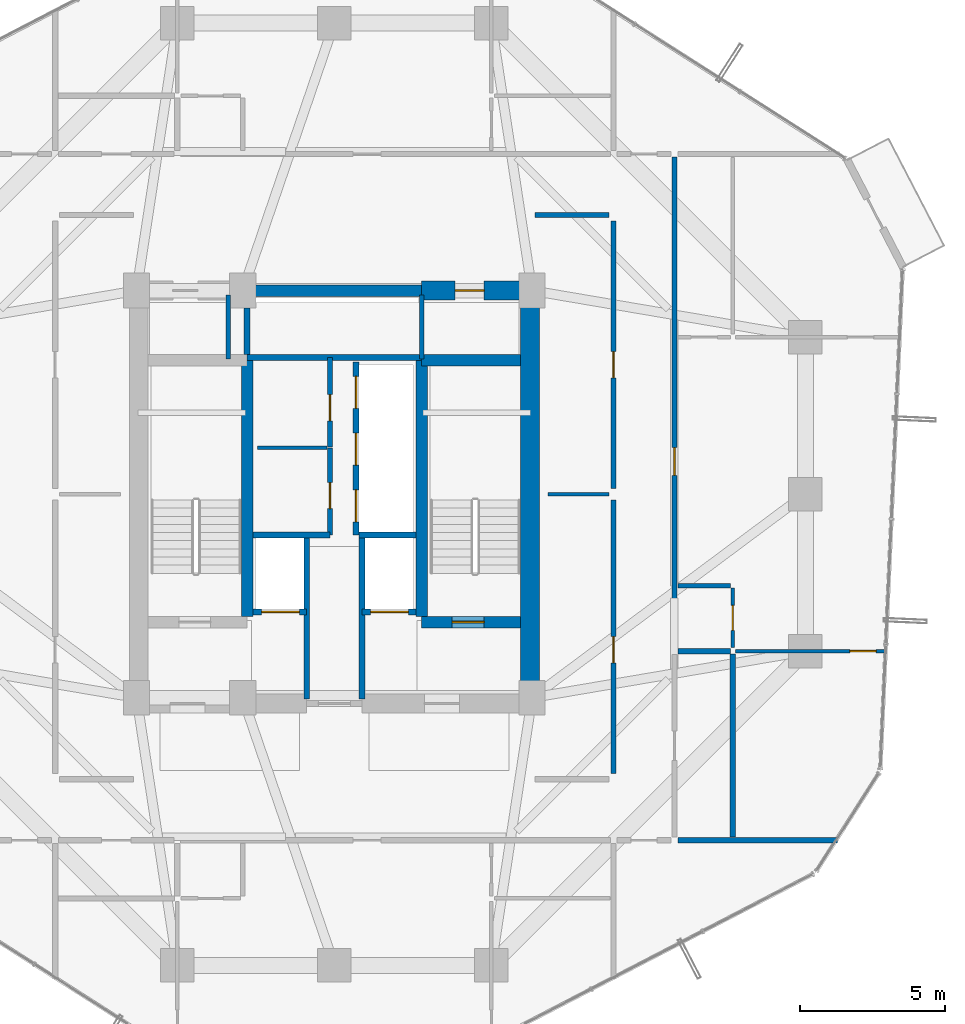
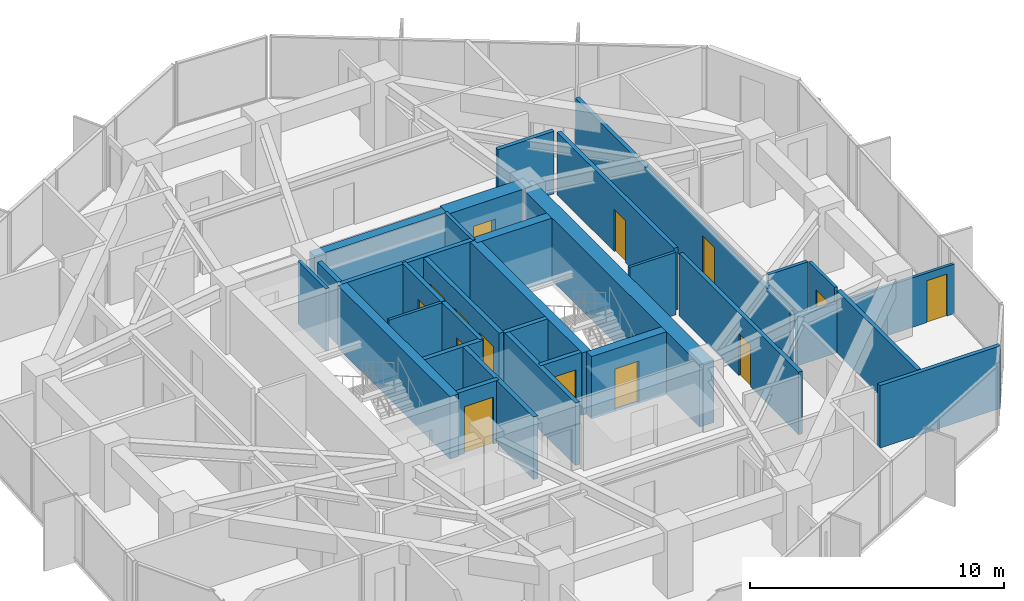
# One storey, part 27 of 30: 32 walls, 14 doors, 14 openings.
"""IFC4 building model written with IfcOpenShell, lengths in metres."""

from ifc_helpers import new_model, si_unit, direction, frame, frame_2d, origin, place, context, subcontext, project, spatial, rectangle, extrude, source, transform, mapped, material, layer, layer_set, type_object, element, fill, save


model = new_model("IFC4")

# Units and contexts
model_context = context("Model", 3, precision=1e-05, world=origin(), true_north=direction((0.0, 1.0)))
body_context = subcontext(model_context, "Body", "Model", "MODEL_VIEW")
ifc_project = project(units=[si_unit("LENGTHUNIT", "METRE"), si_unit("AREAUNIT", "SQUARE_METRE"), si_unit("VOLUMEUNIT", "CUBIC_METRE"), si_unit("PLANEANGLEUNIT", "RADIAN"), si_unit("MASSUNIT", "GRAM", prefix="KILO")], contexts=[model_context])

# Site, building, storey
site_placement = place(None, origin())
site = spatial("IfcSite", under=ifc_project, at=site_placement, CompositionType="ELEMENT")
building_placement = place(site_placement, origin())
building = spatial("IfcBuilding", under=site, at=building_placement, Name="Veraguas Prism Commons", CompositionType="ELEMENT")
storey_placement = place(building_placement, frame((0.0, 0.0, 119.75)))
storey = spatial("IfcBuildingStorey", under=building, at=storey_placement, Name="L33", CompositionType="ELEMENT", Elevation=119.75)

# Wall
ifc_material_1 = material(Name="Concrete C50/60", Category="concrete")
ifc_layer_1 = layer(ifc_material_1, 0.39990234375, Name="Clinic and Mid Core Shear Wall RC 400", Category="concrete")
ifc_layer_set_1 = layer_set([ifc_layer_1], Name="Concrete C50/60")
wall_type_1 = type_object("IfcWallType", Name="Clinic and Mid Core Shear Wall RC 400", PredefinedType="SHEAR", material=ifc_layer_set_1)
wall_1_placement = place(storey_placement, frame((21.0, 31.0, 0.0), z_axis=(0.0, 0.0, 1.0), x_axis=(1.0, 0.0, 0.0)))
element("IfcWall", 1, at=wall_1_placement, inside=storey, type_object=wall_type_1, Name="High-Rise Lift Bank Front Shear Wall L33", PredefinedType="SHEAR", context=body_context, shape_type="SweptSolid", body=[
    extrude(rectangle(XDim=6.0, YDim=0.39990234375, at=frame_2d((3.0, 0.0))), origin(), (0.0, 0.0, 1.0), 3.0),
])

# Wall, opening, door
wall_2_placement = place(storey_placement, frame((27.0, 19.60009765625, 0.0), z_axis=(0.0, 0.0, 1.0), x_axis=(1.0, 0.0, 0.0)))
wall_2 = element("IfcWall", 2, at=wall_2_placement, inside=storey, type_object=wall_type_1, Name="Stair ST-02 South Shear Wall L33", PredefinedType="SHEAR", context=body_context, shape_type="SweptSolid", body=[
    extrude(rectangle(XDim=3.39990234375, YDim=0.39990234375, at=frame_2d((1.699951171875, 0.0))), origin(), (0.0, 0.0, 1.0), 3.0),
])
opening_1_placement = place(wall_2_placement, frame((1.050048828125, 0.0, 0.0)))
opening_1 = element("IfcOpeningElement", 3, at=opening_1_placement, cuts=wall_2, Name="Opening DR-05", PredefinedType="OPENING", context=body_context, shape_type="SweptSolid", body=[
    extrude(rectangle(XDim=1.10009765625, YDim=2.030029296875, at=frame_2d((0.550048828125, 1.01513671875))), frame((0.0, 0.2099609375, 0.0), z_axis=(0.0, -1.0, 0.0), x_axis=(1.0, 0.0, 0.0)), (0.0, 0.0, 1.0), 0.419921875),
])
ifc_material_2 = material(Name="Steel fire-rated door assembly", Category="steel")
door_type_1 = type_object("IfcDoorType", Name="Protected Stair and Refuge Fire Door 1100x2030", OperationType="NOTDEFINED", PredefinedType="DOOR", material=ifc_material_2)
shared_shape_1 = source(origin(), body_context, "Body", "SweptSolid", [
    extrude(rectangle(XDim=1.10009765625, YDim=2.030029296875, at=frame_2d((0.550048828125, 1.01513671875))), frame((0.0, 0.02490234375, 0.0), z_axis=(0.0, -1.0, 0.0), x_axis=(1.0, 0.0, 0.0)), (0.0, 0.0, 1.0), 0.050048828125),
])
door_1_placement = place(opening_1_placement, origin())
door_1 = element("IfcDoor", 4, at=door_1_placement, inside=storey, type_object=door_type_1, Name="Stair ST-02 Enclosure Door L33", OperationType="SINGLE_SWING_LEFT", OverallHeight=2.030029296875, OverallWidth=1.10009765625, PredefinedType="DOOR", context=body_context, shape_type="MappedRepresentation", body=[
    mapped(shared_shape_1, transform((0.0, 0.0, 0.0), scale=1.0)),
])
fill(opening_1, door_1)

# Walls
for number, where, z_axis, x_axis, name in (
    (5, (21.0, 19.800048828125, 0.0), (0.0, 0.0, 1.0), (0.0, 1.0, 0.0), "Stair ST-01 Inner Shear Wall L33"),
    (6, (27.0, 19.800048828125, 0.0), (0.0, 0.0, 1.0), (0.0, 1.0, 0.0), "Stair ST-02 Inner Shear Wall L33"),
):
    element("IfcWall", number, at=place(storey_placement, frame(where, z_axis=z_axis, x_axis=x_axis)), inside=storey, type_object=wall_type_1, Name=name, PredefinedType="SHEAR", context=body_context, shape_type="SweptSolid", body=[
        extrude(rectangle(XDim=8.800048828125, YDim=0.39990234375, at=frame_2d((4.39990234375, 0.0))), origin(), (0.0, 0.0, 1.0), 3.0),
    ])
wall_3_placement = place(storey_placement, frame((27.0, 28.60009765625, 0.0), z_axis=(0.0, 0.0, 1.0), x_axis=(1.0, 0.0, 0.0)))
element("IfcWall", 7, at=wall_3_placement, inside=storey, type_object=wall_type_1, Name="Stair ST-02 North Shear Wall L33", PredefinedType="SHEAR", context=body_context, shape_type="SweptSolid", body=[
    extrude(rectangle(XDim=3.39990234375, YDim=0.39990234375, at=frame_2d((1.699951171875, 0.0))), origin(), (0.0, 0.0, 1.0), 3.0),
])
ifc_material_3 = material(Name="Concrete C55/67", Category="concrete")
ifc_layer_2 = layer(ifc_material_3, 0.64990234375, Name="Core Outer Shear Wall Mid RC 650", Category="concrete")
ifc_layer_set_2 = layer_set([ifc_layer_2], Name="Concrete C55/67")
wall_type_2 = type_object("IfcWallType", Name="Core Outer Shear Wall Mid RC 650", PredefinedType="SHEAR", material=ifc_layer_set_2)
wall_4_placement = place(storey_placement, frame((30.72509765625, 16.800048828125, 0.0), z_axis=(0.0, 0.0, 1.0), x_axis=(0.0, 1.0, 0.0)))
element("IfcWall", 8, at=wall_4_placement, inside=storey, type_object=wall_type_2, Name="Central Core East Shear Wall L33", PredefinedType="SHEAR", context=body_context, shape_type="SweptSolid", body=[
    extrude(rectangle(XDim=14.199951171875, YDim=0.64990234375, at=frame_2d((7.10009765625, 0.0))), origin(), (0.0, 0.0, 1.0), 3.0),
])

# Wall, opening, door
wall_5_placement = place(storey_placement, frame((27.0, 31.0, 0.0), z_axis=(0.0, 0.0, 1.0), x_axis=(1.0, 0.0, 0.0)))
wall_5 = element("IfcWall", 9, at=wall_5_placement, inside=storey, type_object=wall_type_2, Name="Central Core North-East Shear Wall L33", PredefinedType="SHEAR", context=body_context, shape_type="SweptSolid", body=[
    extrude(rectangle(XDim=3.800048828125, YDim=0.64990234375, at=frame_2d((1.89990234375, 0.0))), origin(), (0.0, 0.0, 1.0), 3.0),
])
opening_2_placement = place(wall_5_placement, frame((1.14990234375, 0.0, 0.0)))
opening_2 = element("IfcOpeningElement", 10, at=opening_2_placement, cuts=wall_5, Name="Opening DR-13", PredefinedType="OPENING", context=body_context, shape_type="SweptSolid", body=[
    extrude(rectangle(XDim=1.0, YDim=2.010009765625, at=frame_2d((0.5, 1.0048828125))), frame((0.0, 0.3349609375, 0.0), z_axis=(0.0, -1.0, 0.0), x_axis=(1.0, 0.0, 0.0)), (0.0, 0.0, 1.0), 0.669921875),
])
door_type_2 = type_object("IfcDoorType", Name="Core Accessible WC and Clinic Fire Door 1000x2010", OperationType="NOTDEFINED", PredefinedType="DOOR", material=ifc_material_2)
shared_shape_2 = source(origin(), body_context, "Body", "SweptSolid", [
    extrude(rectangle(XDim=1.0, YDim=2.010009765625, at=frame_2d((0.5, 1.0048828125))), frame((0.0, 0.02490234375, 0.0), z_axis=(0.0, -1.0, 0.0), x_axis=(1.0, 0.0, 0.0)), (0.0, 0.0, 1.0), 0.050048828125),
])
door_2_placement = place(opening_2_placement, origin())
door_2 = element("IfcDoor", 11, at=door_2_placement, inside=storey, type_object=door_type_2, Name="Core NE Pantry Door L33", OperationType="SINGLE_SWING_LEFT", OverallHeight=2.010009765625, OverallWidth=1.0, PredefinedType="DOOR", context=body_context, shape_type="MappedRepresentation", body=[
    mapped(shared_shape_2, transform((0.0, 0.0, 0.0), scale=1.0)),
])
fill(opening_2, door_2)

ifc_material_4 = material(Name="Autoclaved aerated masonry block 10 MPa", Category="masonry")
ifc_layer_3 = layer(ifc_material_4, 0.179931640625, Name="Corridor and Inter-Tenancy Partition 180", Category="masonry")
ifc_layer_set_3 = layer_set([ifc_layer_3], Name="Autoclaved aerated masonry block 10 MPa")
wall_type_3 = type_object("IfcWallType", Name="Corridor and Inter-Tenancy Partition 180", PredefinedType="PARTITIONING", material=ifc_layer_set_3)
wall_6_placement = place(storey_placement, frame((23.85009765625, 22.60009765625, 0.0), z_axis=(0.0, 0.0, 1.0), x_axis=(0.0, 1.0, 0.0)))
wall_6 = element("IfcWall", 12, at=wall_6_placement, inside=storey, type_object=wall_type_3, Name="Co-op Pantry Partition L33", PredefinedType="PARTITIONING", context=body_context, shape_type="SweptSolid", body=[
    extrude(rectangle(XDim=2.97998046875, YDim=0.179931640625, at=frame_2d((1.489990234375, 0.0))), origin(), (0.0, 0.0, 1.0), 3.0),
])
opening_3_placement = place(wall_6_placement, frame((0.89990234375, 0.0, 0.0)))
opening_3 = element("IfcOpeningElement", 13, at=opening_3_placement, cuts=wall_6, Name="Opening DR-14", PredefinedType="OPENING", context=body_context, shape_type="SweptSolid", body=[
    extrude(rectangle(XDim=0.89990234375, YDim=2.010009765625, at=frame_2d((0.449951171875, 1.0048828125))), frame((0.0, 0.099853515625, 0.0), z_axis=(0.0, -1.0, 0.0), x_axis=(1.0, 0.0, 0.0)), (0.0, 0.0, 1.0), 0.199951171875),
])
door_type_3 = type_object("IfcDoorType", Name="Core Service Room Fire Door 900x2010", OperationType="NOTDEFINED", PredefinedType="DOOR", material=ifc_material_2)
shared_shape_3 = source(origin(), body_context, "Body", "SweptSolid", [
    extrude(rectangle(XDim=0.89990234375, YDim=2.010009765625, at=frame_2d((0.449951171875, 1.0048828125))), frame((0.0, 0.02490234375, 0.0), z_axis=(0.0, -1.0, 0.0), x_axis=(1.0, 0.0, 0.0)), (0.0, 0.0, 1.0), 0.050048828125),
])
door_3_placement = place(opening_3_placement, origin())
door_3 = element("IfcDoor", 14, at=door_3_placement, inside=storey, type_object=door_type_3, Name="Co-op Pantry Door L33", OperationType="SINGLE_SWING_RIGHT", OverallHeight=2.010009765625, OverallWidth=0.89990234375, PredefinedType="DOOR", context=body_context, shape_type="MappedRepresentation", body=[
    mapped(shared_shape_3, transform((0.0, 0.0, 0.0), scale=1.0)),
])
fill(opening_3, door_3)

wall_7_placement = place(storey_placement, frame((23.85009765625, 25.6201171875, 0.0), z_axis=(0.0, 0.0, 1.0), x_axis=(0.0, 1.0, 0.0)))
wall_7 = element("IfcWall", 15, at=wall_7_placement, inside=storey, type_object=wall_type_3, Name="Bookshop Alcove Partition L33", PredefinedType="PARTITIONING", context=body_context, shape_type="SweptSolid", body=[
    extrude(rectangle(XDim=3.079833984375, YDim=0.179931640625, at=frame_2d((1.5400390625, 0.0))), origin(), (0.0, 0.0, 1.0), 3.0),
])
opening_4_placement = place(wall_7_placement, frame((0.89990234375, 0.0, 0.0)))
opening_4 = element("IfcOpeningElement", 16, at=opening_4_placement, cuts=wall_7, Name="Opening DR-14", PredefinedType="OPENING", context=body_context, shape_type="SweptSolid", body=[
    extrude(rectangle(XDim=0.89990234375, YDim=2.010009765625, at=frame_2d((0.449951171875, 1.0048828125))), frame((0.0, 0.099853515625, 0.0), z_axis=(0.0, -1.0, 0.0), x_axis=(1.0, 0.0, 0.0)), (0.0, 0.0, 1.0), 0.199951171875),
])
door_4_placement = place(opening_4_placement, origin())
door_4 = element("IfcDoor", 17, at=door_4_placement, inside=storey, type_object=door_type_3, Name="Bookshop Alcove Door L33", OperationType="SINGLE_SWING_LEFT", OverallHeight=2.010009765625, OverallWidth=0.89990234375, PredefinedType="DOOR", context=body_context, shape_type="MappedRepresentation", body=[
    mapped(shared_shape_3, transform((0.0, 0.0, 0.0), scale=1.0)),
])
fill(opening_4, door_4)

wall_8_placement = place(storey_placement, frame((33.60009765625, 14.39990234375, 0.0), z_axis=(0.0, 0.0, 1.0), x_axis=(0.0, 1.0, 0.0)))
wall_8 = element("IfcWall", 18, at=wall_8_placement, inside=storey, type_object=wall_type_3, Name="WL-L33-IRE1", PredefinedType="PARTITIONING", context=body_context, shape_type="SweptSolid", body=[
    extrude(rectangle(XDim=9.400146484375, YDim=0.179931640625, at=frame_2d((4.7001953125, 0.0))), origin(), (0.0, 0.0, 1.0), 3.0),
])
opening_5_placement = place(wall_8_placement, frame((3.800048828125, 0.0, 0.0)))
opening_5 = element("IfcOpeningElement", 19, at=opening_5_placement, cuts=wall_8, Name="Opening DR-14", PredefinedType="OPENING", context=body_context, shape_type="SweptSolid", body=[
    extrude(rectangle(XDim=0.89990234375, YDim=2.010009765625, at=frame_2d((0.449951171875, 1.0048828125))), frame((0.0, 0.099853515625, 0.0), z_axis=(0.0, -1.0, 0.0), x_axis=(1.0, 0.0, 0.0)), (0.0, 0.0, 1.0), 0.199951171875),
])
door_5_placement = place(opening_5_placement, origin())
door_5 = element("IfcDoor", 20, at=door_5_placement, inside=storey, type_object=door_type_3, Name="Shared Laundry Annex Door L33", OperationType="SINGLE_SWING_RIGHT", OverallHeight=2.010009765625, OverallWidth=0.89990234375, PredefinedType="DOOR", context=body_context, shape_type="MappedRepresentation", body=[
    mapped(shared_shape_3, transform((0.0, 0.0, 0.0), scale=1.0)),
])
fill(opening_5, door_5)

wall_9_placement = place(storey_placement, frame((33.60009765625, 24.199951171875, 0.0), z_axis=(0.0, 0.0, 1.0), x_axis=(0.0, 1.0, 0.0)))
wall_9 = element("IfcWall", 21, at=wall_9_placement, inside=storey, type_object=wall_type_3, Name="WL-L33-IRE2", PredefinedType="PARTITIONING", context=body_context, shape_type="SweptSolid", body=[
    extrude(rectangle(XDim=9.199951171875, YDim=0.179931640625, at=frame_2d((4.60009765625, 0.0))), origin(), (0.0, 0.0, 1.0), 3.0),
])
opening_6_placement = place(wall_9_placement, frame((3.800048828125, 0.0, 0.0)))
opening_6 = element("IfcOpeningElement", 22, at=opening_6_placement, cuts=wall_9, Name="Opening DR-14", PredefinedType="OPENING", context=body_context, shape_type="SweptSolid", body=[
    extrude(rectangle(XDim=0.89990234375, YDim=2.010009765625, at=frame_2d((0.449951171875, 1.0048828125))), frame((0.0, 0.099853515625, 0.0), z_axis=(0.0, -1.0, 0.0), x_axis=(1.0, 0.0, 0.0)), (0.0, 0.0, 1.0), 0.199951171875),
])
door_6_placement = place(opening_6_placement, origin())
door_6 = element("IfcDoor", 23, at=door_6_placement, inside=storey, type_object=door_type_3, Name="Community Reading Alcove Door L33", OperationType="SINGLE_SWING_LEFT", OverallHeight=2.010009765625, OverallWidth=0.89990234375, PredefinedType="DOOR", context=body_context, shape_type="MappedRepresentation", body=[
    mapped(shared_shape_3, transform((0.0, 0.0, 0.0), scale=1.0)),
])
fill(opening_6, door_6)

# Walls
wall_10_placement = place(storey_placement, frame((30.89990234375, 33.60009765625, 0.0), z_axis=(0.0, 0.0, 1.0), x_axis=(1.0, 0.0, 0.0)))
element("IfcWall", 24, at=wall_10_placement, inside=storey, type_object=wall_type_3, Name="WL-L33-IREN", PredefinedType="PARTITIONING", context=body_context, shape_type="SweptSolid", body=[
    extrude(rectangle(XDim=2.550048828125, YDim=0.179931640625, at=frame_2d((1.27490234375, 0.0))), origin(), (0.0, 0.0, 1.0), 3.0),
])
wall_11_placement = place(storey_placement, frame((35.820068359375, 12.10009765625, 0.0), z_axis=(0.0, 0.0, 1.0), x_axis=(1.0, 0.0, 0.0)))
element("IfcWall", 25, at=wall_11_placement, inside=storey, type_object=wall_type_3, Name="WL-L33-PT034", PredefinedType="PARTITIONING", context=body_context, shape_type="SweptSolid", body=[
    extrude(rectangle(XDim=5.474853515625, YDim=0.179931640625, at=frame_2d((2.7373046875, 0.0))), origin(), (0.0, 0.0, 1.0), 3.0),
])

# Wall, opening, door
wall_12_placement = place(storey_placement, frame((35.699951171875, 18.7099609375, 0.0), z_axis=(0.0, 0.0, 1.0), x_axis=(0.0, 1.0, 0.0)))
wall_12 = element("IfcWall", 26, at=wall_12_placement, inside=storey, type_object=wall_type_3, Name="WL-L33-PT037", PredefinedType="PARTITIONING", context=body_context, shape_type="SweptSolid", body=[
    extrude(rectangle(XDim=16.880126953125, YDim=0.179931640625, at=frame_2d((8.43994140625, 0.0))), origin(), (0.0, 0.0, 1.0), 2.580078125),
])
opening_7_placement = place(wall_12_placement, frame((5.93994140625, 0.0, 0.0)))
opening_7 = element("IfcOpeningElement", 27, at=opening_7_placement, cuts=wall_12, Name="Opening DR-01", PredefinedType="OPENING", context=body_context, shape_type="SweptSolid", body=[
    extrude(rectangle(XDim=0.949951171875, YDim=2.02001953125, at=frame_2d((0.47509765625, 1.010009765625))), frame((0.0, 0.099853515625, 0.0), z_axis=(0.0, -1.0, 0.0), x_axis=(1.0, 0.0, 0.0)), (0.0, 0.0, 1.0), 0.199951171875),
])
ifc_material_5 = material(Name="Anodised aluminium EN AW-6063 T6", Category="aluminium")
door_type_4 = type_object("IfcDoorType", Name="Apartment Entrance Fire Door 950x2020", OperationType="NOTDEFINED", PredefinedType="DOOR", material=ifc_material_5)
shared_shape_4 = source(origin(), body_context, "Body", "SweptSolid", [
    extrude(rectangle(XDim=0.949951171875, YDim=2.02001953125, at=frame_2d((0.47509765625, 1.010009765625))), frame((0.0, 0.02490234375, 0.0), z_axis=(0.0, -1.0, 0.0), x_axis=(1.0, 0.0, 0.0)), (0.0, 0.0, 1.0), 0.050048828125),
])
door_7_placement = place(opening_7_placement, origin())
door_7 = element("IfcDoor", 28, at=door_7_placement, inside=storey, type_object=door_type_4, Name="Flat 33C Entrance Door", OperationType="SINGLE_SWING_LEFT", OverallHeight=2.02001953125, OverallWidth=0.949951171875, PredefinedType="DOOR", context=body_context, shape_type="MappedRepresentation", body=[
    mapped(shared_shape_4, transform((0.0, 0.0, 0.0), scale=1.0)),
])
fill(opening_7, door_7)

# Walls
wall_13_placement = place(storey_placement, frame((37.699951171875, 12.219970703125, 0.0), z_axis=(0.0, 0.0, 1.0), x_axis=(0.0, 1.0, 0.0)))
element("IfcWall", 29, at=wall_13_placement, inside=storey, type_object=wall_type_3, Name="WL-L33-PT038", PredefinedType="PARTITIONING", context=body_context, shape_type="SweptSolid", body=[
    extrude(rectangle(XDim=6.280029296875, YDim=0.179931640625, at=frame_2d((3.14013671875, 0.0))), origin(), (0.0, 0.0, 1.0), 3.0),
])
wall_14_placement = place(storey_placement, frame((35.820068359375, 18.60009765625, 0.0), z_axis=(0.0, 0.0, 1.0), x_axis=(1.0, 0.0, 0.0)))
element("IfcWall", 30, at=wall_14_placement, inside=storey, type_object=wall_type_3, Name="WL-L33-PT039", PredefinedType="PARTITIONING", context=body_context, shape_type="SweptSolid", body=[
    extrude(rectangle(XDim=1.800048828125, YDim=0.179931640625, at=frame_2d((0.89990234375, 0.0))), origin(), (0.0, 0.0, 1.0), 2.3779296875),
])
ifc_material_6 = material(Name="Lightweight acoustic gypsum board")
ifc_layer_4 = layer(ifc_material_6, 0.125, Name="Internal Apartment Room Partition 125")
ifc_layer_set_4 = layer_set([ifc_layer_4], Name="Lightweight acoustic gypsum board")
wall_type_4 = type_object("IfcWallType", Name="Internal Apartment Room Partition 125", PredefinedType="PARTITIONING", material=ifc_layer_set_4)
wall_15_placement = place(storey_placement, frame((21.35009765625, 25.60009765625, 0.0), z_axis=(0.0, 0.0, 1.0), x_axis=(1.0, 0.0, 0.0)))
element("IfcWall", 31, at=wall_15_placement, inside=storey, type_object=wall_type_4, Name="WL-L33-FRWLM", PredefinedType="PARTITIONING", context=body_context, shape_type="SweptSolid", body=[
    extrude(rectangle(XDim=2.39990234375, YDim=0.125, at=frame_2d((1.199951171875, 0.0))), origin(), (0.0, 0.0, 1.0), 3.0),
])
wall_16_placement = place(storey_placement, frame((31.35009765625, 24.0, 0.0), z_axis=(0.0, 0.0, 1.0), x_axis=(1.0, 0.0, 0.0)))
element("IfcWall", 32, at=wall_16_placement, inside=storey, type_object=wall_type_4, Name="WL-L33-IREM", PredefinedType="PARTITIONING", context=body_context, shape_type="SweptSolid", body=[
    extrude(rectangle(XDim=2.099853515625, YDim=0.125, at=frame_2d((1.0498046875, 0.0))), origin(), (0.0, 0.0, 1.0), 3.0),
])

# Wall, opening, door
wall_17_placement = place(storey_placement, frame((37.800048828125, 18.60009765625, 0.0), z_axis=(0.0, 0.0, 1.0), x_axis=(1.0, 0.0, 0.0)))
wall_17 = element("IfcWall", 33, at=wall_17_placement, inside=storey, type_object=wall_type_4, Name="WL-L33-PT040", PredefinedType="PARTITIONING", context=body_context, shape_type="SweptSolid", body=[
    extrude(rectangle(XDim=5.190185546875, YDim=0.125, at=frame_2d((2.59521484375, 0.0))), origin(), (0.0, 0.0, 1.0), 2.3779296875),
])
opening_8_placement = place(wall_17_placement, frame((3.927978515625, 0.0, 0.0)))
opening_8 = element("IfcOpeningElement", 34, at=opening_8_placement, cuts=wall_17, Name="Opening DR-02", PredefinedType="OPENING", context=body_context, shape_type="SweptSolid", body=[
    extrude(rectangle(XDim=0.89990234375, YDim=2.010009765625, at=frame_2d((0.449951171875, 1.0048828125))), frame((0.0, 0.072509765625, 0.0), z_axis=(0.0, -1.0, 0.0), x_axis=(1.0, 0.0, 0.0)), (0.0, 0.0, 1.0), 0.14501953125),
])
ifc_material_7 = material(Name="Timber solid core hardwood", Category="wood")
door_type_5 = type_object("IfcDoorType", Name="Internal Habitable Room Door 900x2010", OperationType="NOTDEFINED", PredefinedType="DOOR", material=ifc_material_7)
door_8_placement = place(opening_8_placement, origin())
door_8 = element("IfcDoor", 35, at=door_8_placement, inside=storey, type_object=door_type_5, Name="Flat 33C Bedroom 2 Door", OperationType="SINGLE_SWING_RIGHT", OverallHeight=2.010009765625, OverallWidth=0.89990234375, PredefinedType="DOOR", context=body_context, shape_type="MappedRepresentation", body=[
    mapped(shared_shape_3, transform((0.0, 0.0, 0.0), scale=1.0)),
])
fill(opening_8, door_8)

wall_18_placement = place(storey_placement, frame((37.699951171875, 18.719970703125, 0.0), z_axis=(0.0, 0.0, 1.0), x_axis=(0.0, 1.0, 0.0)))
wall_18 = element("IfcWall", 36, at=wall_18_placement, inside=storey, type_object=wall_type_4, Name="WL-L33-PT042", PredefinedType="PARTITIONING", context=body_context, shape_type="SweptSolid", body=[
    extrude(rectangle(XDim=2.050048828125, YDim=0.125, at=frame_2d((1.02490234375, 0.0))), origin(), (0.0, 0.0, 1.0), 3.0),
])
opening_9_placement = place(wall_18_placement, frame((0.594970703125, 0.0, 0.0)))
opening_9 = element("IfcOpeningElement", 37, at=opening_9_placement, cuts=wall_18, Name="Opening DR-03", PredefinedType="OPENING", context=body_context, shape_type="SweptSolid", body=[
    extrude(rectangle(XDim=0.860107421875, YDim=2.010009765625, at=frame_2d((0.43017578125, 1.0048828125))), frame((0.0, 0.072509765625, 0.0), z_axis=(0.0, -1.0, 0.0), x_axis=(1.0, 0.0, 0.0)), (0.0, 0.0, 1.0), 0.14501953125),
])
ifc_material_8 = material(Name="Timber moisture-resistant leaf", Category="wood")
door_type_6 = type_object("IfcDoorType", Name="Internal Bathroom Door 860x2010", OperationType="NOTDEFINED", PredefinedType="DOOR", material=ifc_material_8)
shared_shape_5 = source(origin(), body_context, "Body", "SweptSolid", [
    extrude(rectangle(XDim=0.860107421875, YDim=2.010009765625, at=frame_2d((0.43017578125, 1.0048828125))), frame((0.0, 0.02490234375, 0.0), z_axis=(0.0, -1.0, 0.0), x_axis=(1.0, 0.0, 0.0)), (0.0, 0.0, 1.0), 0.050048828125),
])
door_9_placement = place(opening_9_placement, origin())
door_9 = element("IfcDoor", 38, at=door_9_placement, inside=storey, type_object=door_type_6, Name="Flat 33C Bathroom Door", OperationType="SINGLE_SWING_LEFT", OverallHeight=2.010009765625, OverallWidth=0.860107421875, PredefinedType="DOOR", context=body_context, shape_type="MappedRepresentation", body=[
    mapped(shared_shape_5, transform((0.0, 0.0, 0.0), scale=1.0)),
])
fill(opening_9, door_9)

ifc_layer_5 = layer(ifc_material_4, 0.199951171875, Name="Rated Shaft and Lobby Block Wall 200", Category="masonry")
ifc_layer_set_5 = layer_set([ifc_layer_5], Name="Autoclaved aerated masonry block 10 MPa")
wall_type_5 = type_object("IfcWallType", Name="Rated Shaft and Lobby Block Wall 200", PredefinedType="SOLIDWALL", material=ifc_layer_set_5)
wall_19_placement = place(storey_placement, frame((21.199951171875, 19.949951171875, 0.0), z_axis=(0.0, 0.0, 1.0), x_axis=(1.0, 0.0, 0.0)))
wall_19 = element("IfcWall", 39, at=wall_19_placement, inside=storey, type_object=wall_type_5, Name="Firefighting Lift FFL-1 Front Wall L33", PredefinedType="SOLIDWALL", context=body_context, shape_type="SweptSolid", body=[
    extrude(rectangle(XDim=1.85009765625, YDim=0.199951171875, at=frame_2d((0.925048828125, 0.0))), origin(), (0.0, 0.0, 1.0), 3.0),
])
opening_10_placement = place(wall_19_placement, frame((0.300048828125, 0.0, 0.0)))
opening_10 = element("IfcOpeningElement", 40, at=opening_10_placement, cuts=wall_19, Name="Opening LD-02", PredefinedType="OPENING", context=body_context, shape_type="SweptSolid", body=[
    extrude(rectangle(XDim=1.300048828125, YDim=2.25, at=frame_2d((0.64990234375, 1.125))), frame((0.0, 0.10986328125, 0.0), z_axis=(0.0, -1.0, 0.0), x_axis=(1.0, 0.0, 0.0)), (0.0, 0.0, 1.0), 0.219970703125),
])
ifc_material_9 = material(Name="Stainless steel AISI 316", Category="steel")
door_type_7 = type_object("IfcDoorType", Name="Firefighting Lift Sliding Landing Door 1300x2250", OperationType="NOTDEFINED", PredefinedType="DOOR", material=ifc_material_9)
shared_shape_6 = source(origin(), body_context, "Body", "SweptSolid", [
    extrude(rectangle(XDim=1.300048828125, YDim=2.25, at=frame_2d((0.64990234375, 1.125))), frame((0.0, 0.02490234375, 0.0), z_axis=(0.0, -1.0, 0.0), x_axis=(1.0, 0.0, 0.0)), (0.0, 0.0, 1.0), 0.050048828125),
])
door_10_placement = place(opening_10_placement, origin())
door_10 = element("IfcDoor", 41, at=door_10_placement, inside=storey, type_object=door_type_7, Name="Firefighting Lift FFL-1 Landing Door L33", OperationType="SLIDING_TO_LEFT", OverallHeight=2.25, OverallWidth=1.300048828125, PredefinedType="DOOR", context=body_context, shape_type="MappedRepresentation", body=[
    mapped(shared_shape_6, transform((0.0, 0.0, 0.0), scale=1.0)),
])
fill(opening_10, door_10)

wall_20_placement = place(storey_placement, frame((24.949951171875, 19.949951171875, 0.0), z_axis=(0.0, 0.0, 1.0), x_axis=(1.0, 0.0, 0.0)))
wall_20 = element("IfcWall", 42, at=wall_20_placement, inside=storey, type_object=wall_type_5, Name="Firefighting Lift FFL-2 Front Wall L33", PredefinedType="SOLIDWALL", context=body_context, shape_type="SweptSolid", body=[
    extrude(rectangle(XDim=1.85009765625, YDim=0.199951171875, at=frame_2d((0.925048828125, 0.0))), origin(), (0.0, 0.0, 1.0), 3.0),
])
opening_11_placement = place(wall_20_placement, frame((0.300048828125, 0.0, 0.0)))
opening_11 = element("IfcOpeningElement", 43, at=opening_11_placement, cuts=wall_20, Name="Opening LD-02", PredefinedType="OPENING", context=body_context, shape_type="SweptSolid", body=[
    extrude(rectangle(XDim=1.300048828125, YDim=2.25, at=frame_2d((0.64990234375, 1.125))), frame((0.0, 0.10986328125, 0.0), z_axis=(0.0, -1.0, 0.0), x_axis=(1.0, 0.0, 0.0)), (0.0, 0.0, 1.0), 0.219970703125),
])
door_11_placement = place(opening_11_placement, origin())
door_11 = element("IfcDoor", 44, at=door_11_placement, inside=storey, type_object=door_type_7, Name="Firefighting Lift FFL-2 Front Wall L33", OperationType="SLIDING_TO_LEFT", OverallHeight=2.25, OverallWidth=1.300048828125, PredefinedType="DOOR", context=body_context, shape_type="MappedRepresentation", body=[
    mapped(shared_shape_6, transform((0.0, 0.0, 0.0), scale=1.0)),
])
fill(opening_11, door_11)

# Walls
for number, where, z_axis, x_axis, name in (
    (45, (23.050048828125, 16.949951171875, 0.0), (0.0, 0.0, 1.0), (0.0, 1.0, 0.0), "West FF Lobby Divider Wall L33"),
    (46, (24.949951171875, 16.949951171875, 0.0), (0.0, 0.0, 1.0), (0.0, 1.0, 0.0), "East FF Lobby Divider Wall L33"),
):
    element("IfcWall", number, at=place(storey_placement, frame(where, z_axis=z_axis, x_axis=x_axis)), inside=storey, type_object=wall_type_5, Name=name, PredefinedType="SOLIDWALL", context=body_context, shape_type="SweptSolid", body=[
        extrude(rectangle(XDim=5.60009765625, YDim=0.199951171875, at=frame_2d((2.800048828125, 0.0))), origin(), (0.0, 0.0, 1.0), 3.0),
    ])
wall_21_placement = place(storey_placement, frame((21.199951171875, 22.60009765625, 0.0), z_axis=(0.0, 0.0, 1.0), x_axis=(1.0, 0.0, 0.0)))
element("IfcWall", 47, at=wall_21_placement, inside=storey, type_object=wall_type_5, Name="Firefighting Lift FFL-1 Rear Wall L33", PredefinedType="SOLIDWALL", context=body_context, shape_type="SweptSolid", body=[
    extrude(rectangle(XDim=2.650146484375, YDim=0.199951171875, at=frame_2d((1.3251953125, 0.0))), origin(), (0.0, 0.0, 1.0), 3.0),
])
wall_22_placement = place(storey_placement, frame((24.85009765625, 22.60009765625, 0.0), z_axis=(0.0, 0.0, 1.0), x_axis=(1.0, 0.0, 0.0)))
element("IfcWall", 48, at=wall_22_placement, inside=storey, type_object=wall_type_5, Name="Firefighting Lift FFL-2 Rear Wall L33", PredefinedType="SOLIDWALL", context=body_context, shape_type="SweptSolid", body=[
    extrude(rectangle(XDim=1.949951171875, YDim=0.199951171875, at=frame_2d((0.97509765625, 0.0))), origin(), (0.0, 0.0, 1.0), 3.0),
])
wall_23_placement = place(storey_placement, frame((21.0, 28.699951171875, 0.0), z_axis=(0.0, 0.0, 1.0), x_axis=(1.0, 0.0, 0.0)))
element("IfcWall", 49, at=wall_23_placement, inside=storey, type_object=wall_type_5, Name="High-Rise Lift Bank Rear Shaft Wall L33", PredefinedType="SOLIDWALL", context=body_context, shape_type="SweptSolid", body=[
    extrude(rectangle(XDim=6.0, YDim=0.199951171875, at=frame_2d((3.0, 0.0))), origin(), (0.0, 0.0, 1.0), 3.0),
])
wall_24_placement = place(storey_placement, frame((21.0, 28.800048828125, 0.0), z_axis=(0.0, 0.0, 1.0), x_axis=(0.0, 1.0, 0.0)))
element("IfcWall", 50, at=wall_24_placement, inside=storey, type_object=wall_type_5, Name="High-Rise Lift Bank West Shaft Wall L33", PredefinedType="SOLIDWALL", context=body_context, shape_type="SweptSolid", body=[
    extrude(rectangle(XDim=1.599853515625, YDim=0.199951171875, at=frame_2d((0.7998046875, 0.0))), origin(), (0.0, 0.0, 1.0), 3.0),
])

# Wall, openings, doors
wall_25_placement = place(storey_placement, frame((24.75, 22.60009765625, 0.0), z_axis=(0.0, 0.0, 1.0), x_axis=(0.0, 1.0, 0.0)))
wall_25 = element("IfcWall", 51, at=wall_25_placement, inside=storey, type_object=wall_type_5, Name="Mid-Rise Lift Bank Front Wall L33", PredefinedType="SOLIDWALL", context=body_context, shape_type="SweptSolid", body=[
    extrude(rectangle(XDim=5.949951171875, YDim=0.199951171875, at=frame_2d((2.97509765625, 0.0))), origin(), (0.0, 0.0, 1.0), 3.0),
])
opening_12_placement = place(wall_25_placement, frame((0.449951171875, 0.0, 0.0)))
opening_12 = element("IfcOpeningElement", 52, at=opening_12_placement, cuts=wall_25, Name="Opening LD-01", PredefinedType="OPENING", context=body_context, shape_type="SweptSolid", body=[
    extrude(rectangle(XDim=1.10009765625, YDim=2.080078125, at=frame_2d((0.550048828125, 1.0400390625))), frame((0.0, 0.10986328125, 0.0), z_axis=(0.0, -1.0, 0.0), x_axis=(1.0, 0.0, 0.0)), (0.0, 0.0, 1.0), 0.219970703125),
])
opening_13_placement = place(wall_25_placement, frame((2.39990234375, 0.0, 0.0)))
opening_13 = element("IfcOpeningElement", 53, at=opening_13_placement, cuts=wall_25, Name="Opening LD-01", PredefinedType="OPENING", context=body_context, shape_type="SweptSolid", body=[
    extrude(rectangle(XDim=1.10009765625, YDim=2.080078125, at=frame_2d((0.550048828125, 1.0400390625))), frame((0.0, 0.10986328125, 0.0), z_axis=(0.0, -1.0, 0.0), x_axis=(1.0, 0.0, 0.0)), (0.0, 0.0, 1.0), 0.219970703125),
])
opening_14_placement = place(wall_25_placement, frame((4.35009765625, 0.0, 0.0)))
opening_14 = element("IfcOpeningElement", 54, at=opening_14_placement, cuts=wall_25, Name="Opening LD-01", PredefinedType="OPENING", context=body_context, shape_type="SweptSolid", body=[
    extrude(rectangle(XDim=1.10009765625, YDim=2.080078125, at=frame_2d((0.550048828125, 1.0400390625))), frame((0.0, 0.10986328125, 0.0), z_axis=(0.0, -1.0, 0.0), x_axis=(1.0, 0.0, 0.0)), (0.0, 0.0, 1.0), 0.219970703125),
])
door_type_8 = type_object("IfcDoorType", Name="Passenger Lift Sliding Landing Door 1100x2080", OperationType="NOTDEFINED", PredefinedType="DOOR", material=ifc_material_9)
shared_shape_7 = source(origin(), body_context, "Body", "SweptSolid", [
    extrude(rectangle(XDim=1.10009765625, YDim=2.080078125, at=frame_2d((0.550048828125, 1.0400390625))), frame((0.0, 0.02490234375, 0.0), z_axis=(0.0, -1.0, 0.0), x_axis=(1.0, 0.0, 0.0)), (0.0, 0.0, 1.0), 0.050048828125),
])
door_12_placement = place(opening_12_placement, origin())
door_12 = element("IfcDoor", 55, at=door_12_placement, inside=storey, type_object=door_type_8, Name="Sliding Landing Door PL-M1 L33", OperationType="SLIDING_TO_LEFT", OverallHeight=2.080078125, OverallWidth=1.10009765625, PredefinedType="DOOR", context=body_context, shape_type="MappedRepresentation", body=[
    mapped(shared_shape_7, transform((0.0, 0.0, 0.0), scale=1.0)),
])
fill(opening_12, door_12)
door_13_placement = place(opening_13_placement, origin())
door_13 = element("IfcDoor", 56, at=door_13_placement, inside=storey, type_object=door_type_8, Name="Sliding Landing Door PL-M2 L33", OperationType="SLIDING_TO_LEFT", OverallHeight=2.080078125, OverallWidth=1.10009765625, PredefinedType="DOOR", context=body_context, shape_type="MappedRepresentation", body=[
    mapped(shared_shape_7, transform((0.0, 0.0, 0.0), scale=1.0)),
])
fill(opening_13, door_13)
door_14_placement = place(opening_14_placement, origin())
door_14 = element("IfcDoor", 57, at=door_14_placement, inside=storey, type_object=door_type_8, Name="Sliding Landing Door PL-M3 L33", OperationType="SLIDING_TO_LEFT", OverallHeight=2.080078125, OverallWidth=1.10009765625, PredefinedType="DOOR", context=body_context, shape_type="MappedRepresentation", body=[
    mapped(shared_shape_7, transform((0.0, 0.0, 0.0), scale=1.0)),
])
fill(opening_14, door_14)

# Walls
ifc_layer_6 = layer(ifc_material_6, 0.14990234375, Name="Wet Room and Clinic Acoustic Partition 150")
ifc_layer_set_6 = layer_set([ifc_layer_6], Name="Lightweight acoustic gypsum board")
wall_type_6 = type_object("IfcWallType", Name="Wet Room and Clinic Acoustic Partition 150", PredefinedType="PARTITIONING", material=ifc_layer_set_6)
for number, where, z_axis, x_axis, name in (
    (58, (20.35009765625, 28.64990234375, 0.0), (0.0, 0.0, 1.0), (0.0, 1.0, 0.0), "Core NW Service Inner Wall L33"),
    (59, (27.0, 28.64990234375, 0.0), (0.0, 0.0, 1.0), (0.0, 1.0, 0.0), "Core NE Service Inner Wall L33"),
):
    element("IfcWall", number, at=place(storey_placement, frame(where, z_axis=z_axis, x_axis=x_axis)), inside=storey, type_object=wall_type_6, Name=name, PredefinedType="PARTITIONING", context=body_context, shape_type="SweptSolid", body=[
        extrude(rectangle(XDim=2.2001953125, YDim=0.14990234375, at=frame_2d((1.10009765625, 0.0))), origin(), (0.0, 0.0, 1.0), 3.0),
    ])
wall_26_placement = place(storey_placement, frame((35.820068359375, 20.85009765625, 0.0), z_axis=(0.0, 0.0, 1.0), x_axis=(1.0, 0.0, 0.0)))
element("IfcWall", 60, at=wall_26_placement, inside=storey, type_object=wall_type_6, Name="WL-L33-PT041", PredefinedType="PARTITIONING", context=body_context, shape_type="SweptSolid", body=[
    extrude(rectangle(XDim=1.800048828125, YDim=0.14990234375, at=frame_2d((0.89990234375, 0.0))), origin(), (0.0, 0.0, 1.0), 3.0),
])

save(model, "model.ifc")
